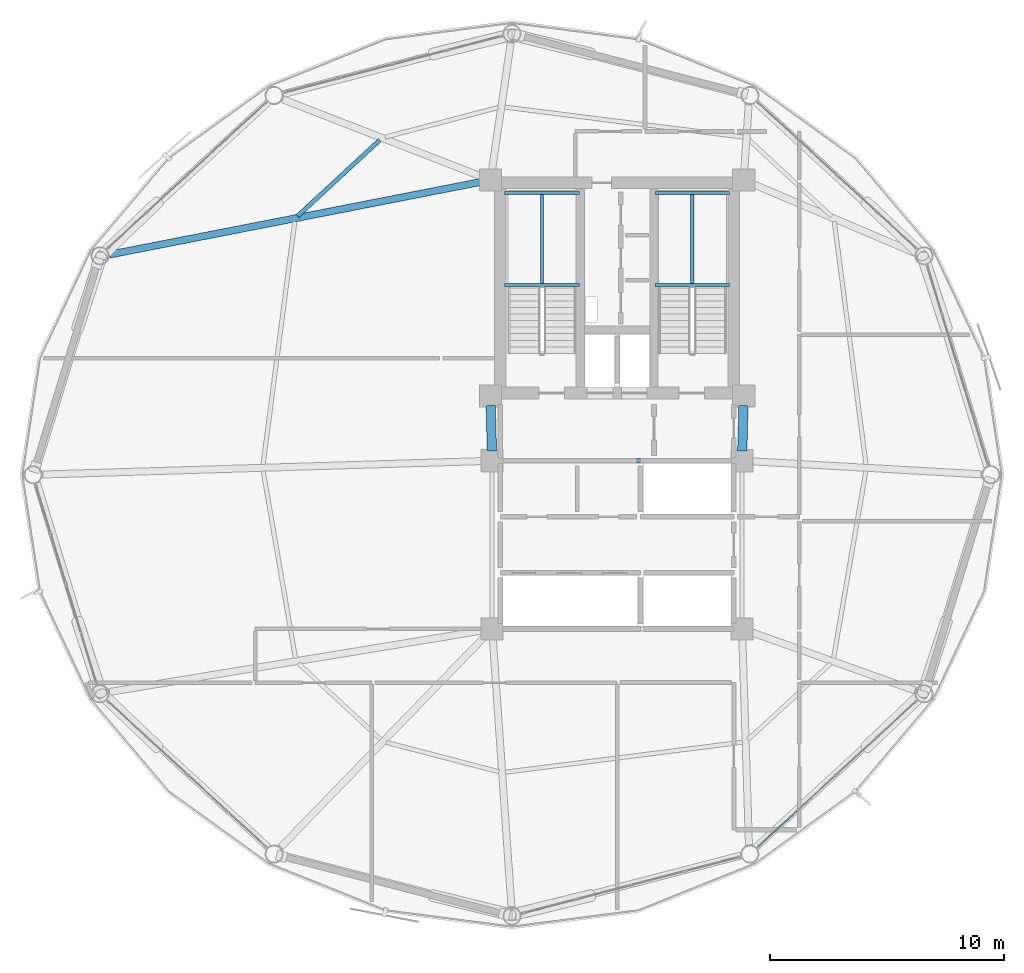
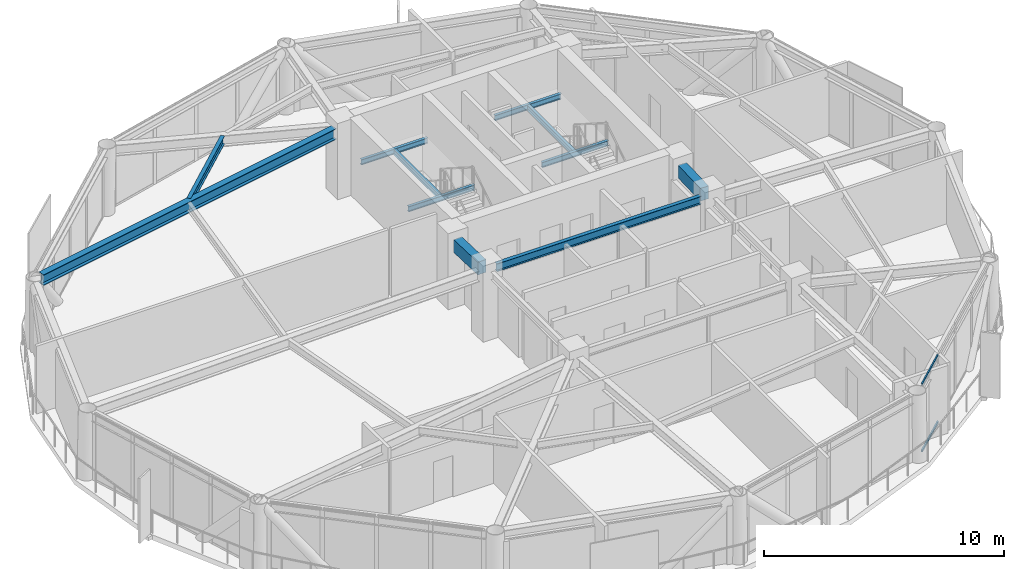
# One storey, part 13 of 26: 11 beams, 2 members, 1 element without a shape of its own.
"""IFC4 building model written with IfcOpenShell, lengths in metres."""

from ifc_helpers import new_model, si_unit, direction, frame, origin, origin_2d, place, context, subcontext, project, spatial, rectangle, hollow_rectangle, i_section, extrude, material, layer, layer_set, material_profile, profile_set, type_object, element, aggregate, save


model = new_model("IFC4")

# Units and contexts
model_context = context("Model", 3, precision=1e-05, world=origin(), true_north=direction((0.0, 1.0)))
body_context = subcontext(model_context, "Body", "Model", "MODEL_VIEW")
ifc_project = project(units=[si_unit("LENGTHUNIT", "METRE"), si_unit("AREAUNIT", "SQUARE_METRE"), si_unit("VOLUMEUNIT", "CUBIC_METRE"), si_unit("PLANEANGLEUNIT", "RADIAN"), si_unit("MASSUNIT", "GRAM", prefix="KILO")], contexts=[model_context])

# Site, building, storey
site_placement = place(None, origin())
site = spatial("IfcSite", under=ifc_project, at=site_placement, CompositionType="ELEMENT")
building_placement = place(site_placement, origin())
building = spatial("IfcBuilding", under=site, at=building_placement, Name="Varnakorn Sky Granary", CompositionType="ELEMENT")
storey_placement = place(building_placement, frame((0.0, 0.0, 165.60009765625)))
storey = spatial("IfcBuildingStorey", under=building, at=storey_placement, Name="L41", CompositionType="ELEMENT", Elevation=165.60009765625)

# Beams
ifc_material_1 = material(Name="Concrete C50/60", Category="concrete")
ifc_material_profile_1 = material_profile(ifc_material_1, rectangle(XDim=0.39990234375, YDim=0.64990234375, at=origin_2d()), Name="RC 400x650")
ifc_profile_set_1 = profile_set([ifc_material_profile_1], Name="Concrete C50/60")
beam_type_1 = type_object("IfcBeamType", Name="BM-LIN-650", PredefinedType="LINTEL", material=ifc_profile_set_1)
for number, where, z_axis, x_axis, name in (
    (1, (-2.409423828125, 2.960205078125, 3.125), (0.025158763514, -0.999683468213, 0.0), (0.999683468213, 0.025158763514, 0.0), "Core Spine Framing Beam 1 L41"),
    (2, (8.409423828125, 2.960205078125, 3.125), (-0.025158763514, -0.999683468213, 0.0), (0.999683468213, -0.025158763514, 0.0), "Core Spine Framing Beam 2 L41"),
):
    element("IfcBeam", number, at=place(storey_placement, frame(where, z_axis=z_axis, x_axis=x_axis)), inside=storey, type_object=beam_type_1, Name=name, PredefinedType="LINTEL", context=body_context, shape_type="SweptSolid", body=[
        extrude(rectangle(XDim=0.39990234375, YDim=0.64990234375, at=origin_2d()), origin(), (0.0, 0.0, 1.0), 1.94091796875),
    ])
ifc_material_2 = material(Name="Steel S355JR", Category="steel")
ifc_material_profile_2 = material_profile(ifc_material_2, i_section(OverallWidth=0.135009765625, OverallDepth=0.27001953125, WebThickness=0.006591796875, FlangeThickness=0.01025390625, at=origin_2d()), Name="IPE 270")
ifc_profile_set_2 = profile_set([ifc_material_profile_2], Name="Steel S355JR")
beam_type_2 = type_object("IfcBeamType", Name="BM-LND-270", PredefinedType="BEAM", material=ifc_profile_set_2)
for number, where, z_axis, x_axis, name in (
    (3, (-1.820068359375, 8.1201171875, 1.614990234375), (1.0, 0.0, 0.0), (0.0, 1.0, 0.0), "Stair ST-1 Landing Trimmer Beam A L41-1"),
    (4, (-1.820068359375, 12.06005859375, 1.614990234375), (1.0, 0.0, 0.0), (0.0, 1.0, 0.0), "Stair ST-1 Landing Trimmer Beam B L41-1"),
):
    element("IfcBeam", number, at=place(storey_placement, frame(where, z_axis=z_axis, x_axis=x_axis)), inside=storey, type_object=beam_type_2, Name=name, PredefinedType="BEAM", context=body_context, shape_type="SweptSolid", body=[
        extrude(i_section(OverallWidth=0.135009765625, OverallDepth=0.27001953125, WebThickness=0.006591796875, FlangeThickness=0.01025390625, at=origin_2d()), origin(), (0.0, 0.0, 1.0), 3.199951171875),
    ])
beam_1_placement = place(storey_placement, frame((-0.219970703125, 8.1201171875, 1.614990234375), z_axis=(0.0, 1.0, 0.0), x_axis=(-1.0, 0.0, 0.0)))
element("IfcBeam", 5, at=beam_1_placement, inside=storey, type_object=beam_type_2, Name="Stair ST-1 Landing Cross Beam C L41-1", PredefinedType="BEAM", context=body_context, shape_type="SweptSolid", body=[
    extrude(i_section(OverallWidth=0.135009765625, OverallDepth=0.27001953125, WebThickness=0.006591796875, FlangeThickness=0.01025390625, at=origin_2d()), origin(), (0.0, 0.0, 1.0), 3.93994140625),
])
for number, where, z_axis, x_axis, name in (
    (6, (4.6201171875, 8.1201171875, 1.614990234375), (1.0, 0.0, 0.0), (0.0, 1.0, 0.0), "Stair ST-2 Landing Trimmer Beam A L41-1"),
    (7, (4.6201171875, 12.06005859375, 1.614990234375), (1.0, 0.0, 0.0), (0.0, 1.0, 0.0), "Stair ST-2 Landing Trimmer Beam B L41-1"),
):
    element("IfcBeam", number, at=place(storey_placement, frame(where, z_axis=z_axis, x_axis=x_axis)), inside=storey, type_object=beam_type_2, Name=name, PredefinedType="BEAM", context=body_context, shape_type="SweptSolid", body=[
        extrude(i_section(OverallWidth=0.135009765625, OverallDepth=0.27001953125, WebThickness=0.006591796875, FlangeThickness=0.01025390625, at=origin_2d()), origin(), (0.0, 0.0, 1.0), 3.199951171875),
    ])
beam_2_placement = place(storey_placement, frame((6.219970703125, 8.1201171875, 1.614990234375), z_axis=(0.0, 1.0, 0.0), x_axis=(-1.0, 0.0, 0.0)))
element("IfcBeam", 8, at=beam_2_placement, inside=storey, type_object=beam_type_2, Name="Stair ST-2 Landing Cross Beam C L41-1", PredefinedType="BEAM", context=body_context, shape_type="SweptSolid", body=[
    extrude(i_section(OverallWidth=0.135009765625, OverallDepth=0.27001953125, WebThickness=0.006591796875, FlangeThickness=0.01025390625, at=origin_2d()), origin(), (0.0, 0.0, 1.0), 3.93994140625),
])
ifc_material_profile_3 = material_profile(ifc_material_2, i_section(OverallWidth=0.300048828125, OverallDepth=0.550048828125, WebThickness=0.014892578125, FlangeThickness=0.029052734375, at=origin_2d()), Name="HE 550 B")
ifc_profile_set_3 = profile_set([ifc_material_profile_3], Name="Steel S355JR")
beam_type_3 = type_object("IfcBeamType", Name="BM-RAD-Z3", PredefinedType="BEAM", material=ifc_profile_set_3)
beam_3_placement = place(storey_placement, frame((-2.832275390625, 12.539306640625, 3.1748046875), z_axis=(-0.981388704392, -0.192031796565, 0.0), x_axis=(0.192031796565, -0.981388704392, 0.0)))
element("IfcBeam", 9, at=beam_3_placement, inside=storey, type_object=beam_type_3, Name="Radial Floor Girder RG06 L41", PredefinedType="BEAM", context=body_context, shape_type="SweptSolid", body=[
    extrude(i_section(OverallWidth=0.300048828125, OverallDepth=0.550048828125, WebThickness=0.014892578125, FlangeThickness=0.029052734375, at=origin_2d()), origin(), (0.0, 0.0, 1.0), 16.203369140625),
])
ifc_material_profile_4 = material_profile(ifc_material_2, i_section(OverallWidth=0.179931640625, OverallDepth=0.39990234375, WebThickness=0.008544921875, FlangeThickness=0.013427734375, at=origin_2d()), Name="IPE 400")
ifc_profile_set_4 = profile_set([ifc_material_profile_4], Name="Steel S355JR")
beam_type_4 = type_object("IfcBeamType", Name="BM-SEC-Z3", PredefinedType="BEAM", material=ifc_profile_set_4)
beam_4_placement = place(storey_placement, frame((-7.166748046875, 14.32861328125, 3.25), z_axis=(-0.734114695572, -0.679025488289, 0.0), x_axis=(0.679025488289, -0.734114695572, 0.0)))
element("IfcBeam", 10, at=beam_4_placement, inside=storey, type_object=beam_type_4, Name="Secondary Floor Chord Beam MSB05 L41", PredefinedType="BEAM", context=body_context, shape_type="SweptSolid", body=[
    extrude(i_section(OverallWidth=0.179931640625, OverallDepth=0.39990234375, WebThickness=0.008544921875, FlangeThickness=0.013427734375, at=origin_2d()), origin(), (0.0, 0.0, 1.0), 4.786376953125),
])
beam_5_placement = place(storey_placement, frame((-1.929931640625, 0.60009765625, 3.25), z_axis=(1.0, 0.0, 0.0), x_axis=(0.0, 1.0, 0.0)))
element("IfcBeam", 11, at=beam_5_placement, inside=storey, type_object=beam_type_4, Name="Core Spine Framing Beam 5 L41", PredefinedType="BEAM", context=body_context, shape_type="SweptSolid", body=[
    extrude(i_section(OverallWidth=0.179931640625, OverallDepth=0.39990234375, WebThickness=0.008544921875, FlangeThickness=0.013427734375, at=origin_2d()), origin(), (0.0, 0.0, 1.0), 9.85986328125),
])

# Curtain wall, members
ifc_material_3 = material(Name="Anodised Bronze Aluminium Alloy 6063-T6", Category="aluminium")
ifc_layer = layer(ifc_material_3, 0.179931640625, Name="Anodised Bronze Aluminium Alloy 6063-T6")
ifc_layer_set = layer_set([ifc_layer], Name="Anodised Bronze Aluminium Alloy 6063-T6")
curtain_wall_type = type_object("IfcCurtainWallType", Name="CW-FRM-2", PredefinedType="USERDEFINED", material=ifc_layer_set)
curtain_wall_placement = place(storey_placement, origin())
curtain_wall = element("IfcCurtainWall", 12, at=curtain_wall_placement, inside=storey, type_object=curtain_wall_type, Name="Unitised Curtain Wall CW4 CW-L41-B11", ObjectType="CURTAIN WALL", PredefinedType="USERDEFINED")
ifc_material_profile_5 = material_profile(ifc_material_3, hollow_rectangle(XDim=0.06494140625, YDim=0.1201171875, WallThickness=0.00341796875, at=origin_2d()), Name="ALU TRAN 65x120")
ifc_profile_set_5 = profile_set([ifc_material_profile_5], Name="Anodised Bronze Aluminium Alloy 6063-T6")
member_type = type_object("IfcMemberType", Name="CW-FRM-2-TRAN", PredefinedType="USERDEFINED", material=ifc_profile_set_5)
member_1_placement = place(storey_placement, frame((10.692626953125, -14.40673828125, 0.032470703125), z_axis=(-0.735781242448, -0.677219287425, 0.0), x_axis=(0.677219287425, -0.735781242448, 0.0)))
member_1 = element("IfcMember", 13, at=member_1_placement, type_object=member_type, Name="CW4 transom 4.1", ObjectType="TRANSOM", PredefinedType="USERDEFINED", context=body_context, shape_type="SweptSolid", body=[
    extrude(hollow_rectangle(XDim=0.06494140625, YDim=0.1201171875, WallThickness=0.00341796875, at=origin_2d()), origin(), (0.0, 0.0, 1.0), 2.20947265625),
])
member_2_placement = place(storey_placement, frame((10.692626953125, -14.40673828125, 3.41748046875), z_axis=(-0.735781242448, -0.677219287425, 0.0), x_axis=(0.677219287425, -0.735781242448, 0.0)))
member_2 = element("IfcMember", 14, at=member_2_placement, type_object=member_type, Name="CW4 transom 4.2", ObjectType="TRANSOM", PredefinedType="USERDEFINED", context=body_context, shape_type="SweptSolid", body=[
    extrude(hollow_rectangle(XDim=0.06494140625, YDim=0.1201171875, WallThickness=0.00341796875, at=origin_2d()), origin(), (0.0, 0.0, 1.0), 2.20947265625),
])
aggregate(curtain_wall, [member_1, member_2])

save(model, "model.ifc")
